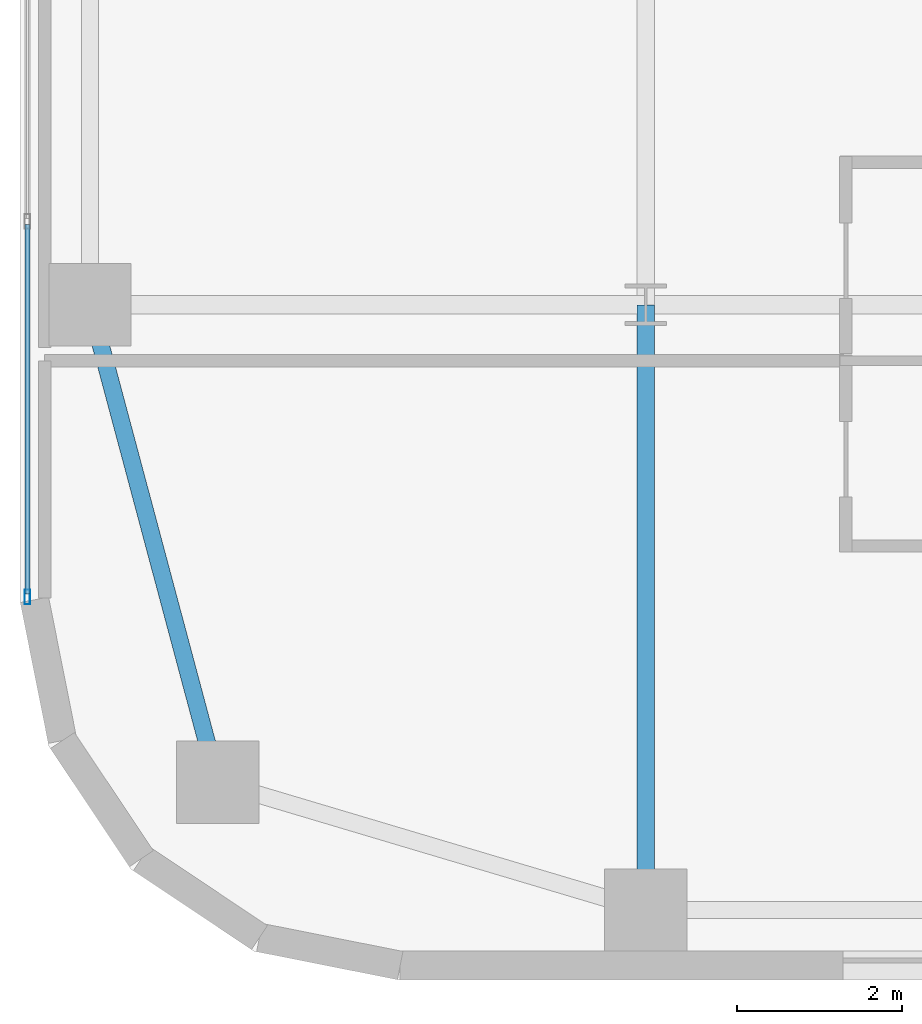
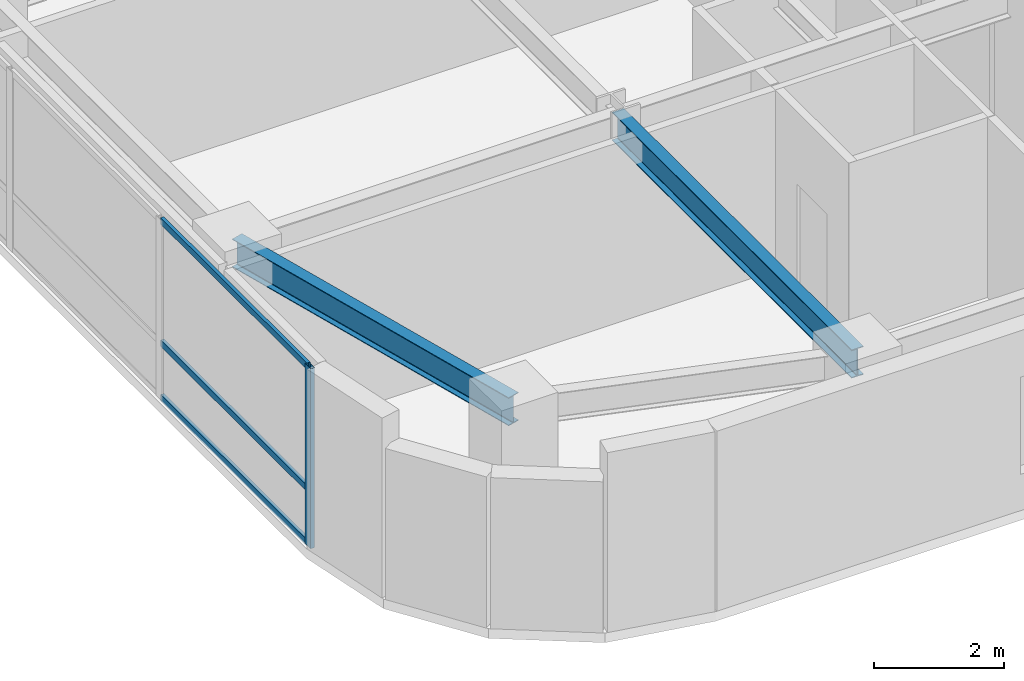
# One storey, part 2 of 30: 4 members, 2 beams, 1 element without a shape of its own.
"""IFC4 building model written with IfcOpenShell, lengths in metres."""

from ifc_helpers import new_model, si_unit, direction, frame, origin, origin_2d, place, context, subcontext, project, spatial, hollow_rectangle, i_section, extrude, source, transform, mapped, material, layer, layer_set, material_profile, profile_set, type_object, type_shapes, element, aggregate, save


model = new_model("IFC4")

# Units and contexts
model_context = context("Model", 3, precision=1e-05, world=origin(), true_north=direction((0.0, 1.0)))
body_context = subcontext(model_context, "Body", "Model", "MODEL_VIEW")
ifc_project = project(units=[si_unit("LENGTHUNIT", "METRE"), si_unit("AREAUNIT", "SQUARE_METRE"), si_unit("VOLUMEUNIT", "CUBIC_METRE"), si_unit("PLANEANGLEUNIT", "RADIAN"), si_unit("MASSUNIT", "GRAM", prefix="KILO")], contexts=[model_context])

# Site, building, storey
site_placement = place(None, origin())
site = spatial("IfcSite", under=ifc_project, at=site_placement, CompositionType="ELEMENT")
building_placement = place(site_placement, origin())
building = spatial("IfcBuilding", under=site, at=building_placement, Name="Tolvann Quenvar Hotel", CompositionType="ELEMENT")
storey_placement = place(building_placement, frame((0.0, 0.0, 56.85009765625)))
storey = spatial("IfcBuildingStorey", under=building, at=storey_placement, Name="L13", CompositionType="ELEMENT", Elevation=56.85009765625)

# Beams
ifc_material_1 = material(Name="Steel Grade 350", Category="steel")
ifc_material_profile_1 = material_profile(ifc_material_1, i_section(OverallWidth=0.208984375, OverallDepth=0.528076171875, WebThickness=0.009521484375, FlangeThickness=0.01318359375, FilletRadius=0.013916015625, at=origin_2d()), Name="530UB82")
ifc_profile_set_1 = profile_set([ifc_material_profile_1], Name="Steel Grade 350")
beam_type_1 = type_object("IfcBeamType", Name="BM_SPAND_530UB82", PredefinedType="SPANDREL", material=ifc_profile_set_1)
shared_shape_1 = source(origin(), body_context, "Body", "SweptSolid", [
    extrude(i_section(OverallWidth=0.208984375, OverallDepth=0.528076171875, WebThickness=0.009521484375, FlangeThickness=0.01318359375, FilletRadius=0.013916015625, at=origin_2d()), origin(), (0.0, 0.0, 1.0), 6.00341796875),
])
type_shapes(beam_type_1, [shared_shape_1])
beam_1_placement = place(storey_placement, frame((2.39990234375, 2.39990234375, 3.10595703125), z_axis=(-0.258148586649, 0.966105225745, 0.0), x_axis=(-0.966105225745, -0.258148586649, 0.0)))
element("IfcBeam", 1, at=beam_1_placement, inside=storey, type_object=beam_type_1, Name="BM-L13-NS-B2-B3", PredefinedType="SPANDREL", context=body_context, shape_type="MappedRepresentation", body=[
    mapped(shared_shape_1, transform((0.0, 0.0, 0.0), x_axis=(1.0, 0.0, 0.0), y_axis=(0.0, 1.0, 0.0), z_axis=(0.0, 0.0, 1.0), scale=1.0)),
])
ifc_material_profile_2 = material_profile(ifc_material_1, i_section(OverallWidth=0.208984375, OverallDepth=0.532958984375, WebThickness=0.01025390625, FlangeThickness=0.015625, FilletRadius=0.013916015625, at=origin_2d()), Name="530UB92")
ifc_profile_set_2 = profile_set([ifc_material_profile_2], Name="Steel Grade 350")
beam_type_2 = type_object("IfcBeamType", Name="BM_GIRD_530UB92", PredefinedType="BEAM", material=ifc_profile_set_2)
shared_shape_2 = source(origin(), body_context, "Body", "SweptSolid", [
    extrude(i_section(OverallWidth=0.208984375, OverallDepth=0.532958984375, WebThickness=0.01025390625, FlangeThickness=0.015625, FilletRadius=0.013916015625, at=origin_2d()), origin(), (0.0, 0.0, 1.0), 7.349853515625),
])
type_shapes(beam_type_2, [shared_shape_2])
beam_2_placement = place(storey_placement, frame((7.60009765625, 0.85009765625, 3.103515625), z_axis=(0.0, 1.0, 0.0), x_axis=(-1.0, 0.0, 0.0)))
element("IfcBeam", 2, at=beam_2_placement, inside=storey, type_object=beam_type_2, Name="BM-L13-NS-C2-C3", PredefinedType="BEAM", context=body_context, shape_type="MappedRepresentation", body=[
    mapped(shared_shape_2, transform((0.0, 0.0, 0.0), x_axis=(1.0, 0.0, 0.0), y_axis=(0.0, 1.0, 0.0), z_axis=(0.0, 0.0, 1.0), scale=1.0)),
])

# Curtain wall, members
ifc_material_2 = material(Name="Thermally broken anodised architectural aluminium 6063-T6 and laminated low-E glass", Category="aluminium")
ifc_layer = layer(ifc_material_2, 0.179931640625)
ifc_layer_set = layer_set([ifc_layer], Name="Thermally broken anodised architectural aluminium 6063-T6 and laminated low-E glass")
curtain_wall_type = type_object("IfcCurtainWallType", Name="CW_SYS_BAND_04", PredefinedType="USERDEFINED", material=ifc_layer_set)
curtain_wall_placement = place(storey_placement, origin())
curtain_wall = element("IfcCurtainWall", 3, at=curtain_wall_placement, inside=storey, type_object=curtain_wall_type, Name="Curtain Wall CW-BAND-04 (CWR-L13-E23)", ObjectType="UNITISED CURTAIN WALL", PredefinedType="USERDEFINED")
ifc_material_3 = material(Name="Anodised architectural aluminium 6063-T6 framing", Category="aluminium")
ifc_material_profile_3 = material_profile(ifc_material_3, hollow_rectangle(XDim=0.070068359375, YDim=0.179931640625, WallThickness=0.00390625, at=origin_2d()), Name="180x70x4RHS")
ifc_profile_set_3 = profile_set([ifc_material_profile_3], Name="Anodised architectural aluminium 6063-T6 framing")
member_type_1 = type_object("IfcMemberType", Name="CW_MULL_180x70", PredefinedType="MULLION", material=ifc_profile_set_3)
shared_shape_3 = source(origin(), body_context, "Body", "SweptSolid", [
    extrude(hollow_rectangle(XDim=0.070068359375, YDim=0.179931640625, WallThickness=0.00390625, at=origin_2d()), origin(), (0.0, 0.0, 1.0), 3.369873046875),
])
type_shapes(member_type_1, [shared_shape_3])
member_1_placement = place(storey_placement, frame((0.090087890625, 4.652099609375, 0.0), z_axis=(0.0, 0.0, 1.0), x_axis=(1.0, 0.0, 0.0)))
member_1 = element("IfcMember", 4, at=member_1_placement, type_object=member_type_1, Name="CW-BAND-04 mullion 9", PredefinedType="MULLION", context=body_context, shape_type="MappedRepresentation", body=[
    mapped(shared_shape_3, transform((0.0, 0.0, 0.0), x_axis=(1.0, 0.0, 0.0), y_axis=(0.0, 1.0, 0.0), z_axis=(0.0, 0.0, 1.0), scale=1.0)),
])
ifc_material_profile_4 = material_profile(ifc_material_3, hollow_rectangle(XDim=0.06005859375, YDim=0.1201171875, WallThickness=0.00341796875, at=origin_2d()), Name="120x60x3.5RHS")
ifc_profile_set_4 = profile_set([ifc_material_profile_4], Name="Anodised architectural aluminium 6063-T6 framing")
member_type_2 = type_object("IfcMemberType", Name="CW_TRAN_120x60", PredefinedType="USERDEFINED", material=ifc_profile_set_4)
shared_shape_4 = source(origin(), body_context, "Body", "SweptSolid", [
    extrude(hollow_rectangle(XDim=0.06005859375, YDim=0.1201171875, WallThickness=0.00341796875, at=origin_2d()), origin(), (0.0, 0.0, 1.0), 4.49072265625),
])
type_shapes(member_type_2, [shared_shape_4])
member_2_placement = place(storey_placement, frame((0.090087890625, 9.177978515625, 0.02978515625), z_axis=(0.0, -1.0, 0.0), x_axis=(1.0, 0.0, 0.0)))
member_2 = element("IfcMember", 5, at=member_2_placement, type_object=member_type_2, Name="CW-BAND-04 transom 8.1", ObjectType="TRANSOM", PredefinedType="USERDEFINED", context=body_context, shape_type="MappedRepresentation", body=[
    mapped(shared_shape_4, transform((0.0, 0.0, 0.0), x_axis=(1.0, 0.0, 0.0), y_axis=(0.0, 1.0, 0.0), z_axis=(0.0, 0.0, 1.0), scale=1.0)),
])
member_3_placement = place(storey_placement, frame((0.090087890625, 9.177978515625, 1.0498046875), z_axis=(0.0, -1.0, 0.0), x_axis=(1.0, 0.0, 0.0)))
member_3 = element("IfcMember", 6, at=member_3_placement, type_object=member_type_2, Name="CW-BAND-04 transom 8.2", ObjectType="TRANSOM", PredefinedType="USERDEFINED", context=body_context, shape_type="MappedRepresentation", body=[
    mapped(shared_shape_4, transform((0.0, 0.0, 0.0), x_axis=(1.0, 0.0, 0.0), y_axis=(0.0, 1.0, 0.0), z_axis=(0.0, 0.0, 1.0), scale=1.0)),
])
member_4_placement = place(storey_placement, frame((0.090087890625, 9.177978515625, 3.33984375), z_axis=(0.0, -1.0, 0.0), x_axis=(1.0, 0.0, 0.0)))
member_4 = element("IfcMember", 7, at=member_4_placement, type_object=member_type_2, Name="CW-BAND-04 transom 8.3", ObjectType="TRANSOM", PredefinedType="USERDEFINED", context=body_context, shape_type="MappedRepresentation", body=[
    mapped(shared_shape_4, transform((0.0, 0.0, 0.0), x_axis=(1.0, 0.0, 0.0), y_axis=(0.0, 1.0, 0.0), z_axis=(0.0, 0.0, 1.0), scale=1.0)),
])
aggregate(curtain_wall, [member_1, member_2, member_3, member_4])

save(model, "model.ifc")
